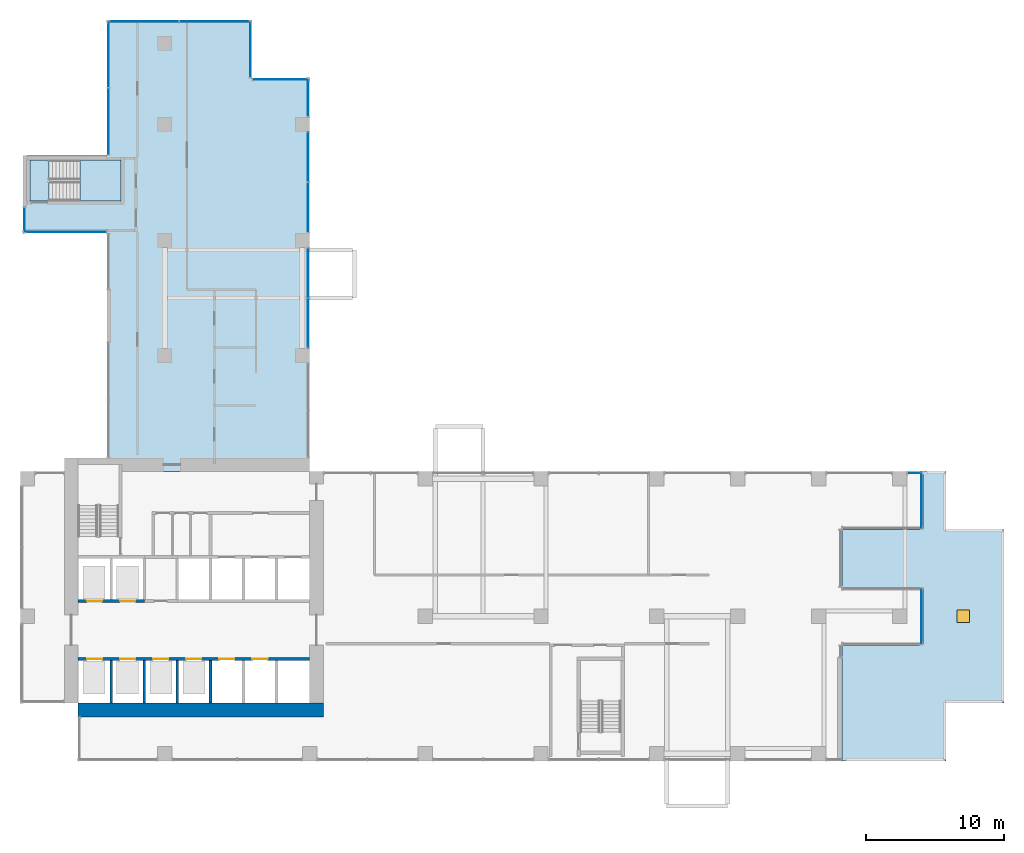
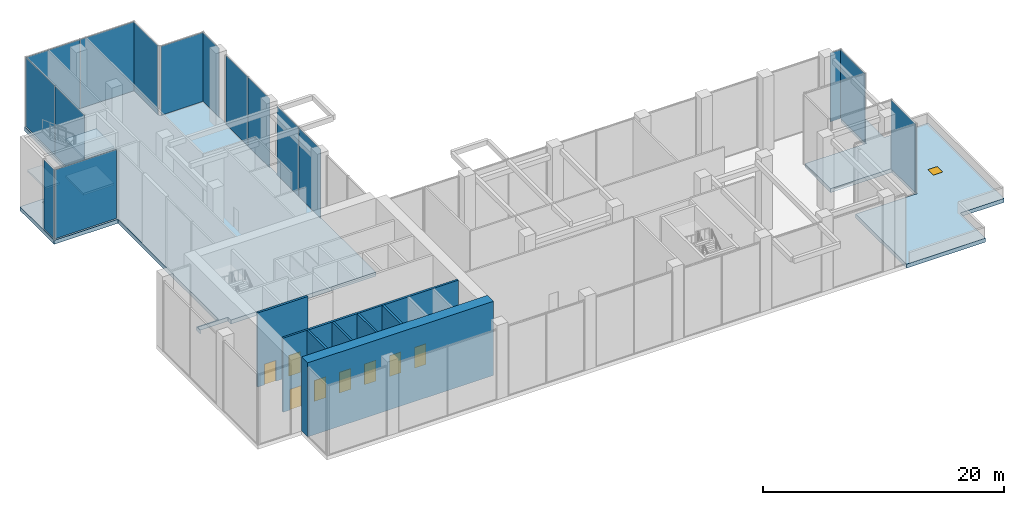
# One storey, part 10 of 18: 16 plates, 8 doors, 7 walls, 5 slabs, 1 window, 9 openings, 13 elements without a shape of their own.
"""IFC4 building model written with IfcOpenShell, lengths in metres."""

import ifcopenshell
import ifcopenshell.guid

model = None  # the IFC model being written
_history = None  # IfcOwnerHistory: only IFC2X3 demands one
_inside = {}  # id of a spatial element -> (the spatial element, [elements in it])
_under = {}  # id of a project, library or spatial element -> (it, [spatial elements below it])
_declared = {}  # id of a project -> (the project, [libraries it declares])
_typed = {}  # id of a type object -> (the type object, [elements of that type])
_made_of = {}  # id of a material, layer set ... -> (it, [elements and type objects made of it])


def new_model(schema):
    """Start an empty IFC model of exactly this schema.

    Asked for "IFC4X3", IfcOpenShell would pick the latest addendum, in which some entities
    have other attributes; the version numbers below select the first issue.
    IFC2X3 requires an IfcOwnerHistory on every rooted entity: one is made here for all.
    """
    global model, _history
    if schema == "IFC4X3":
        model = ifcopenshell.file(schema_version=(4, 3, 0, 0))
    else:
        model = ifcopenshell.file(schema=schema)
    _inside.clear()
    _under.clear()
    _declared.clear()
    _typed.clear()
    _made_of.clear()
    _history = None
    if model.schema == "IFC2X3":
        org = make("IfcOrganization", Name="unknown")
        user = make(
            "IfcPersonAndOrganization",
            ThePerson=make("IfcPerson", FamilyName="unknown"),
            TheOrganization=org,
        )
        app = make(
            "IfcApplication",
            ApplicationDeveloper=org,
            Version="unknown",
            ApplicationFullName="unknown",
            ApplicationIdentifier="unknown",
        )
        _history = make(
            "IfcOwnerHistory",
            OwningUser=user,
            OwningApplication=app,
            ChangeAction="ADDED",
            CreationDate=0,
        )
    return model


def make(cls, **values):
    """One entity of the class cls with the attributes given. An attribute that is None is left unset."""
    return model.create_entity(
        cls, **{name: value for name, value in values.items() if value is not None}
    )


def rooted(cls, **values):
    """An entity with a GlobalId (a new one), such as an element, a storey or a relation."""
    return make(cls, GlobalId=ifcopenshell.guid.new(), OwnerHistory=_history, **values)


def si_unit(unit_type, name, prefix=None):
    """IfcSIUnit, for example si_unit("LENGTHUNIT", "METRE", prefix="MILLI")."""
    return make("IfcSIUnit", UnitType=unit_type, Prefix=prefix, Name=name)


def assignment(units):
    """IfcUnitAssignment: the units of a project."""
    return None if units is None else make("IfcUnitAssignment", Units=units)


def point(xyz):
    """IfcCartesianPoint."""
    return None if xyz is None else make("IfcCartesianPoint", Coordinates=xyz)


def direction(xyz):
    """IfcDirection."""
    return None if xyz is None else make("IfcDirection", DirectionRatios=xyz)


def frame(location, z_axis=None, x_axis=None):
    """IfcAxis2Placement3D, a coordinate frame: its origin and axes. An axis left out is left unset."""
    return make(
        "IfcAxis2Placement3D",
        Location=point(location),
        Axis=direction(z_axis),
        RefDirection=direction(x_axis),
    )


def frame_2d(location, x_axis=None):
    """IfcAxis2Placement2D, a coordinate frame in the plane: its origin and x axis."""
    return make(
        "IfcAxis2Placement2D", Location=point(location), RefDirection=direction(x_axis)
    )


def origin():
    """The frame at (0, 0, 0) with its axes left unset."""
    return frame((0.0, 0.0, 0.0))


def origin_2d():
    """The frame at (0, 0) in the plane with its x axis left unset."""
    return frame_2d((0.0, 0.0))


def place(relative_to, where):
    """IfcLocalPlacement: puts the frame where relative to a parent placement (None: the world)."""
    return make(
        "IfcLocalPlacement", PlacementRelTo=relative_to, RelativePlacement=where
    )


def context(
    kind, dimensions, precision=None, world=None, true_north=None, identifier=None
):
    """IfcGeometricRepresentationContext, for example the 3D "Model" context."""
    return make(
        "IfcGeometricRepresentationContext",
        ContextIdentifier=identifier,
        ContextType=kind,
        CoordinateSpaceDimension=dimensions,
        Precision=precision,
        WorldCoordinateSystem=world,
        TrueNorth=true_north,
    )


def subcontext(parent, identifier, kind, view, scale=None):
    """IfcGeometricRepresentationSubContext, for example "Body" below "Model"."""
    return make(
        "IfcGeometricRepresentationSubContext",
        ContextIdentifier=identifier,
        ContextType=kind,
        ParentContext=parent,
        TargetScale=scale,
        TargetView=view,
    )


def project(units=None, contexts=None):
    """IfcProject with its units and contexts."""
    return rooted(
        "IfcProject",
        Name="project",
        RepresentationContexts=contexts,
        UnitsInContext=assignment(units),
    )


def spatial(cls, under=None, at=None, **own):
    """A site, building, storey or space (cls), placed at a placement, below another one or the project."""
    s = rooted(cls, ObjectPlacement=at, **own)
    if under is not None:
        _under.setdefault(under.id(), (under, []))[1].append(s)
    return s


def polyline(points):
    """IfcPolyline through the points."""
    return make("IfcPolyline", Points=[point(p) for p in points])


def profile(cls, at=None, kind="AREA", **sizes):
    """A parametric profile (cls). Its sizes go by their IFC names, for example OverallWidth=200.0."""
    return make(cls, ProfileType=kind, Position=at, **sizes)


def rectangle(**sizes):
    """IfcRectangleProfileDef."""
    return profile("IfcRectangleProfileDef", **sizes)


def outline(outer, holes=None, kind="AREA"):
    """IfcArbitraryClosedProfileDef: a profile drawn as a closed curve; with holes, ...WithVoids."""
    if holes is None:
        return make("IfcArbitraryClosedProfileDef", ProfileType=kind, OuterCurve=outer)
    return make(
        "IfcArbitraryProfileDefWithVoids",
        ProfileType=kind,
        OuterCurve=outer,
        InnerCurves=holes,
    )


def extrude(swept, where, along, depth):
    """IfcExtrudedAreaSolid: the profile swept, set in the frame where, extruded along a direction by depth."""
    return make(
        "IfcExtrudedAreaSolid",
        SweptArea=swept,
        Position=where,
        ExtrudedDirection=direction(along),
        Depth=depth,
    )


def shape(context_of_items, identifier, shape_type, items):
    """IfcShapeRepresentation: the items that make up one representation, for example the "Body"."""
    return make(
        "IfcShapeRepresentation",
        ContextOfItems=context_of_items,
        RepresentationIdentifier=identifier,
        RepresentationType=shape_type,
        Items=items,
    )


def source(mapping_origin, context_of_items, identifier, shape_type, items):
    """IfcRepresentationMap: a shape defined once, which mapped items show again and again."""
    return make(
        "IfcRepresentationMap",
        MappingOrigin=mapping_origin,
        MappedRepresentation=shape(context_of_items, identifier, shape_type, items),
    )


def transform(
    local_origin,
    x_axis=None,
    y_axis=None,
    z_axis=None,
    scale=None,
    scale2=None,
    scale3=None,
    uniform=True,
):
    """IfcCartesianTransformationOperator3D, or its non-uniform kind. x_axis, y_axis, z_axis: its Axis1, 2, 3."""
    if uniform:
        return make(
            "IfcCartesianTransformationOperator3D",
            Axis1=direction(x_axis),
            Axis2=direction(y_axis),
            LocalOrigin=point(local_origin),
            Scale=scale,
            Axis3=direction(z_axis),
        )
    return make(
        "IfcCartesianTransformationOperator3DnonUniform",
        Axis1=direction(x_axis),
        Axis2=direction(y_axis),
        LocalOrigin=point(local_origin),
        Scale=scale,
        Axis3=direction(z_axis),
        Scale2=scale2,
        Scale3=scale3,
    )


def mapped(mapping_source, mapping_target):
    """IfcMappedItem: shows the shape of a source again, moved by a transform."""
    return make(
        "IfcMappedItem", MappingSource=mapping_source, MappingTarget=mapping_target
    )


def material(Name=None, Category=None):
    """IfcMaterial."""
    return make("IfcMaterial", Name=Name, Category=Category)


def layer(
    of_material, thickness, ventilated=None, Name=None, Category=None, Priority=None
):
    """IfcMaterialLayer: one layer of a wall or slab, of a material (None: an air gap)."""
    return make(
        "IfcMaterialLayer",
        Material=of_material,
        LayerThickness=thickness,
        IsVentilated=ventilated,
        Name=Name,
        Category=Category,
        Priority=Priority,
    )


def layer_set(layers, Name=None):
    """IfcMaterialLayerSet."""
    return make("IfcMaterialLayerSet", MaterialLayers=layers, LayerSetName=Name)


def made_of(thing, what):
    """Note that an element or type object is made of a material, layer set ...; save() writes the relation."""
    if what is not None:
        _made_of.setdefault(what.id(), (what, []))[1].append(thing)
    return thing


def type_object(cls, material=None, **own):
    """A type object (cls), such as IfcWallType, which elements share."""
    return made_of(rooted(cls, **own), material)


def element(
    cls,
    number,
    at=None,
    inside=None,
    cuts=None,
    type_object=None,
    material=None,
    context=None,
    identifier="Body",
    shape_type=None,
    held_by="IfcProductDefinitionShape",
    body=None,
    shapes=None,
    **own,
):
    """One element of the class cls, such as IfcWall. Its Tag is "e" and its number.

    at: its placement. inside: the storey or other place that contains it. cuts: it is an
    opening in that element (IfcRelVoidsElement). A single representation is given by context,
    identifier, shape_type and body (its items); several are given by shapes. held_by: the class
    of the entity that holds the representations. save() writes the other relations.
    """
    e = rooted(cls, Tag="e%d" % number, ObjectPlacement=at, **own)
    if body is not None:
        shapes = [shape(context, identifier, shape_type, body)]
    if shapes is not None:
        e.Representation = make(held_by, Representations=shapes)
    if inside is not None:
        _inside.setdefault(inside.id(), (inside, []))[1].append(e)
    if cuts is not None:
        rooted(
            "IfcRelVoidsElement", RelatingBuildingElement=cuts, RelatedOpeningElement=e
        )
    if type_object is not None:
        _typed.setdefault(type_object.id(), (type_object, []))[1].append(e)
    return made_of(e, material)


def fill(opening, filler):
    """IfcRelFillsElement: the door or window that sits in an opening."""
    return rooted(
        "IfcRelFillsElement",
        RelatingOpeningElement=opening,
        RelatedBuildingElement=filler,
    )


def aggregate(whole, parts):
    """IfcRelAggregates: a whole, such as a stair, and the parts it consists of."""
    return rooted("IfcRelAggregates", RelatingObject=whole, RelatedObjects=parts)


def save(model, path):
    """Write the relations noted so far, then the file.

    IfcRelAggregates (storeys below a building ...), IfcRelContainedInSpatialStructure (elements
    in a storey), IfcRelDefinesByType, IfcRelAssociatesMaterial and IfcRelDeclares: one each for
    every whole, place, type object, material and project.
    """
    for whole, parts in _under.values():
        aggregate(whole, parts)
    for where, things in _inside.values():
        rooted(
            "IfcRelContainedInSpatialStructure",
            RelatedElements=things,
            RelatingStructure=where,
        )
    for kind, things in _typed.values():
        rooted("IfcRelDefinesByType", RelatedObjects=things, RelatingType=kind)
    for what, things in _made_of.values():
        rooted("IfcRelAssociatesMaterial", RelatedObjects=things, RelatingMaterial=what)
    for by, libraries in _declared.values():
        rooted("IfcRelDeclares", RelatingContext=by, RelatedDefinitions=libraries)
    model.write(path)


model = new_model("IFC4")

# Units and contexts
model_context = context("Model", 3, precision=1e-05, world=origin(), true_north=direction((0.0, 1.0)))
body_context = subcontext(model_context, "Body", "Model", "MODEL_VIEW")
ifc_project = project(units=[si_unit("LENGTHUNIT", "METRE"), si_unit("AREAUNIT", "SQUARE_METRE"), si_unit("VOLUMEUNIT", "CUBIC_METRE"), si_unit("PLANEANGLEUNIT", "RADIAN"), si_unit("MASSUNIT", "GRAM", prefix="KILO")], contexts=[model_context])

# Site, building, storey
site_placement = place(None, origin())
site = spatial("IfcSite", under=ifc_project, at=site_placement, CompositionType="ELEMENT")
building_placement = place(site_placement, origin())
building = spatial("IfcBuilding", under=site, at=building_placement, Name="Aurelian Terraces", CompositionType="ELEMENT")
storey_placement = place(building_placement, frame((0.0, 0.0, 170.3)))
storey = spatial("IfcBuildingStorey", under=building, at=storey_placement, Name="L37", CompositionType="ELEMENT", Elevation=170.3)

# Curtain wall, plate
ifc_material_1 = material(Name="Anodised aluminium and clear glazing", Category="aluminium")
ifc_layer_1 = layer(ifc_material_1, 0.2)
ifc_layer_set_1 = layer_set([ifc_layer_1], Name="Lobby glazing curtain wall")
curtain_wall_type = type_object("IfcCurtainWallType", Name="Lobby glazing curtain wall", PredefinedType="NOTDEFINED", material=ifc_layer_set_1)
curtain_wall_1_placement = place(storey_placement, origin())
curtain_wall_1 = element("IfcCurtainWall", 1, at=curtain_wall_1_placement, inside=storey, type_object=curtain_wall_type, Name="Lobby glazing L37 F04.1", PredefinedType="NOTDEFINED")
ifc_material_2 = material(Name="Clear glazing", Category="glass")
ifc_layer_2 = layer(ifc_material_2, 0.028)
ifc_layer_set_2 = layer_set([ifc_layer_2], Name="Lobby glazing glazing panel")
plate_type = type_object("IfcPlateType", Name="Lobby glazing glazing panel", PredefinedType="CURTAIN_PANEL", material=ifc_layer_set_2)
plate_1_placement = place(storey_placement, frame((65.42, 10.5, 0.06), z_axis=(0.0, 0.0, 1.0), x_axis=(0.0, 1.0, 0.0)))
plate_1 = element("IfcPlate", 2, at=plate_1_placement, type_object=plate_type, Name="CW2 panel 1.1", PredefinedType="CURTAIN_PANEL", context=body_context, shape_type="SweptSolid", body=[
    extrude(rectangle(XDim=4.08, YDim=0.028, at=origin_2d()), origin(), (0.0, 0.0, 1.0), 6.98),
])
aggregate(curtain_wall_1, [plate_1])

curtain_wall_2_placement = place(storey_placement, origin())
curtain_wall_2 = element("IfcCurtainWall", 3, at=curtain_wall_2_placement, inside=storey, type_object=curtain_wall_type, Name="Lobby glazing L37 F10.4", PredefinedType="NOTDEFINED")
plate_2_placement = place(storey_placement, frame((20.9, 48.1425, 0.06), z_axis=(0.0, 0.0, 1.0), x_axis=(0.0, 1.0, 0.0)))
plate_2 = element("IfcPlate", 4, at=plate_2_placement, type_object=plate_type, Name="CW2 panel 1.1", PredefinedType="CURTAIN_PANEL", context=body_context, shape_type="SweptSolid", body=[
    extrude(rectangle(XDim=2.715, YDim=0.028, at=origin_2d()), origin(), (0.0, 0.0, 1.0), 6.98),
])
aggregate(curtain_wall_2, [plate_2])

curtain_wall_3_placement = place(storey_placement, origin())
curtain_wall_3 = element("IfcCurtainWall", 5, at=curtain_wall_3_placement, inside=storey, type_object=curtain_wall_type, Name="Lobby glazing L37 F13.1", PredefinedType="NOTDEFINED")
plate_3_placement = place(storey_placement, frame((14.16, 53.66, 0.06), z_axis=(0.0, 0.0, 1.0), x_axis=(-1.0, 0.0, 0.0)))
plate_3 = element("IfcPlate", 6, at=plate_3_placement, type_object=plate_type, Name="CW2 panel 1.1", PredefinedType="CURTAIN_PANEL", context=body_context, shape_type="SweptSolid", body=[
    extrude(rectangle(XDim=5.16, YDim=0.028, at=origin_2d()), origin(), (0.0, 0.0, 1.0), 6.98),
])

curtain_wall_4_placement = place(storey_placement, origin())
curtain_wall_4 = element("IfcCurtainWall", 7, at=curtain_wall_4_placement, inside=storey, type_object=curtain_wall_type, Name="Lobby glazing L37 F14.1", PredefinedType="NOTDEFINED")
plate_4_placement = place(storey_placement, frame((6.4, 51.2925, 0.06), z_axis=(0.0, 0.0, 1.0), x_axis=(0.0, -1.0, 0.0)))
plate_4 = element("IfcPlate", 8, at=plate_4_placement, type_object=plate_type, Name="CW2 panel 1.1", PredefinedType="CURTAIN_PANEL", context=body_context, shape_type="SweptSolid", body=[
    extrude(rectangle(XDim=4.815, YDim=0.028, at=origin_2d()), origin(), (0.0, 0.0, 1.0), 6.98),
])

curtain_wall_5_placement = place(storey_placement, origin())
curtain_wall_5 = element("IfcCurtainWall", 9, at=curtain_wall_5_placement, inside=storey, type_object=curtain_wall_type, Name="Lobby glazing L37 F16.2", PredefinedType="NOTDEFINED")
plate_5_placement = place(storey_placement, frame((0.3, 39.25, 0.06), z_axis=(0.0, 0.0, 1.0), x_axis=(0.0, -1.0, 0.0)))
plate_5 = element("IfcPlate", 10, at=plate_5_placement, type_object=plate_type, Name="CW2 panel 1.1", PredefinedType="CURTAIN_PANEL", context=body_context, shape_type="SweptSolid", body=[
    extrude(rectangle(XDim=1.78, YDim=0.028, at=origin_2d()), origin(), (0.0, 0.0, 1.0), 6.98),
])
aggregate(curtain_wall_5, [plate_5])

curtain_wall_6_placement = place(storey_placement, origin())
curtain_wall_6 = element("IfcCurtainWall", 11, at=curtain_wall_6_placement, inside=storey, type_object=curtain_wall_type, Name="Lobby glazing L37 F17.1", PredefinedType="NOTDEFINED")
plate_6_placement = place(storey_placement, frame((3.25, 38.4, 0.06), z_axis=(0.0, 0.0, 1.0), x_axis=(1.0, 0.0, 0.0)))
plate_6 = element("IfcPlate", 12, at=plate_6_placement, type_object=plate_type, Name="CW2 panel 1.1", PredefinedType="CURTAIN_PANEL", context=body_context, shape_type="SweptSolid", body=[
    extrude(rectangle(XDim=5.98, YDim=0.028, at=origin_2d()), origin(), (0.0, 0.0, 1.0), 6.98),
])
aggregate(curtain_wall_6, [plate_6])

# Slab
ifc_material_3 = material(Name="Concrete fc' 40 MPa", Category="concrete")
ifc_layer_3 = layer(ifc_material_3, 0.4)
ifc_layer_set_3 = layer_set([ifc_layer_3], Name="PT FLAT PLATE 400")
slab_type_1 = type_object("IfcSlabType", Name="PT FLAT PLATE 400", PredefinedType="FLOOR", material=ifc_layer_set_3)
slab_1_placement = place(storey_placement, frame((0.0, 0.0, -0.4)))
element("IfcSlab", 13, at=slab_1_placement, inside=storey, type_object=slab_type_1, Name="Floor slab W L37", PredefinedType="FLOOR", context=body_context, shape_type="SweptSolid", body=[
    extrude(outline(polyline([(6.3, 43.95), (6.3, 49.56), (6.3, 53.76), (10.5, 53.76), (16.8, 53.76), (16.8, 49.56), (21.0, 49.56), (21.0, 21.0), (7.14, 21.0), (7.14, 21.49), (4.21, 21.49), (4.21, 21.0), (4.2, 21.0), (4.2, 21.6), (6.3, 21.6), (6.3, 38.3), (0.2, 38.3), (0.2, 43.95), (6.3, 43.95)]), holes=[polyline([(7.29, 43.59), (2.11, 43.59), (2.11, 40.66), (7.29, 40.66), (7.29, 43.59)])]), origin(), (0.0, 0.0, 1.0), 0.4),
])

# Slab, opening, window
ifc_layer_4 = layer(ifc_material_3, 0.4)
ifc_layer_set_4 = layer_set([ifc_layer_4], Name="Roof slab 400")
slab_type_2 = type_object("IfcSlabType", Name="Roof slab 400", PredefinedType="ROOF", material=ifc_layer_set_4)
slab_2_placement = place(storey_placement, frame((0.0, 0.0, -0.4)))
slab_2 = element("IfcSlab", 14, at=slab_2_placement, inside=storey, type_object=slab_type_2, Name="Roof slab L37 L37-X1", PredefinedType="ROOF", context=body_context, shape_type="SweptSolid", body=[
    extrude(outline(polyline([(71.4, 4.2), (67.2, 4.2), (67.2, 0.0), (59.64, 0.0), (59.64, 8.4), (65.52, 8.4), (65.52, 12.6), (59.64, 12.6), (59.64, 16.8), (65.52, 16.8), (65.52, 21.0), (67.2, 21.0), (67.2, 16.8), (71.4, 16.8), (71.4, 4.2)])), origin(), (0.0, 0.0, 1.0), 0.4),
])
shared_shape_1 = source(origin(), body_context, "Body", "SweptSolid", [
    extrude(rectangle(XDim=0.9, YDim=0.9, at=origin_2d()), frame((0.0, 0.0, -0.01)), (0.0, 0.0, 1.0), 0.42),
])
opening_1_placement = place(slab_2_placement, frame((68.46, 10.5, 0.0)))
opening_1 = element("IfcOpeningElement", 15, at=opening_1_placement, cuts=slab_2, Name="Opening RH1", PredefinedType="OPENING", context=body_context, shape_type="MappedRepresentation", body=[
    mapped(shared_shape_1, transform((0.0, 0.0, 0.0), scale=1.0)),
])
window_type = type_object("IfcWindowType", Name="ROOF HATCH", PartitioningType="SINGLE_PANEL", PredefinedType="SKYLIGHT", material=ifc_material_2)
shared_shape_2 = source(origin(), body_context, "Body", "SweptSolid", [
    extrude(rectangle(XDim=0.9, YDim=0.9, at=origin_2d()), origin(), (0.0, 0.0, 1.0), 0.05),
])
window_placement = place(opening_1_placement, frame((0.0, 0.0, 0.35)))
window = element("IfcWindow", 16, at=window_placement, inside=storey, type_object=window_type, Name="Roof access hatch L37", OverallHeight=0.9, OverallWidth=0.9, PartitioningType="SINGLE_PANEL", PredefinedType="SKYLIGHT", context=body_context, shape_type="MappedRepresentation", body=[
    mapped(shared_shape_2, transform((0.0, 0.0, 0.0), scale=1.0)),
])
fill(opening_1, window)

# Curtain wall, plates
curtain_wall_7_placement = place(storey_placement, origin())
curtain_wall_7 = element("IfcCurtainWall", 17, at=curtain_wall_7_placement, inside=storey, type_object=curtain_wall_type, Name="Lobby glazing L37 F10.2", PredefinedType="NOTDEFINED")
shared_shape_3 = source(origin(), body_context, "Body", "SweptSolid", [
    extrude(rectangle(XDim=3.585, YDim=0.028, at=origin_2d()), origin(), (0.0, 0.0, 1.0), 6.98),
])
plate_7_placement = place(storey_placement, frame((20.9, 31.7775, 0.06), z_axis=(0.0, 0.0, 1.0), x_axis=(0.0, 1.0, 0.0)))
plate_7 = element("IfcPlate", 18, at=plate_7_placement, type_object=plate_type, Name="CW2 panel 1.1", PredefinedType="CURTAIN_PANEL", context=body_context, shape_type="MappedRepresentation", body=[
    mapped(shared_shape_3, transform((0.0, 0.0, 0.0), scale=1.0)),
])
plate_8_placement = place(storey_placement, frame((20.9, 35.4225, 0.06), z_axis=(0.0, 0.0, 1.0), x_axis=(0.0, 1.0, 0.0)))
plate_8 = element("IfcPlate", 19, at=plate_8_placement, type_object=plate_type, Name="CW2 panel 2.1", PredefinedType="CURTAIN_PANEL", context=body_context, shape_type="MappedRepresentation", body=[
    mapped(shared_shape_3, transform((0.0, 0.0, 0.0), scale=1.0)),
])
aggregate(curtain_wall_7, [plate_7, plate_8])

curtain_wall_8_placement = place(storey_placement, origin())
curtain_wall_8 = element("IfcCurtainWall", 20, at=curtain_wall_8_placement, inside=storey, type_object=curtain_wall_type, Name="Lobby glazing L37 F10.3", PredefinedType="NOTDEFINED")
plate_9_placement = place(storey_placement, frame((20.9, 40.1775, 0.06), z_axis=(0.0, 0.0, 1.0), x_axis=(0.0, 1.0, 0.0)))
plate_9 = element("IfcPlate", 21, at=plate_9_placement, type_object=plate_type, Name="CW2 panel 1.1", PredefinedType="CURTAIN_PANEL", context=body_context, shape_type="MappedRepresentation", body=[
    mapped(shared_shape_3, transform((0.0, 0.0, 0.0), scale=1.0)),
])
plate_10_placement = place(storey_placement, frame((20.9, 43.8225, 0.06), z_axis=(0.0, 0.0, 1.0), x_axis=(0.0, 1.0, 0.0)))
plate_10 = element("IfcPlate", 22, at=plate_10_placement, type_object=plate_type, Name="CW2 panel 2.1", PredefinedType="CURTAIN_PANEL", context=body_context, shape_type="MappedRepresentation", body=[
    mapped(shared_shape_3, transform((0.0, 0.0, 0.0), scale=1.0)),
])
aggregate(curtain_wall_8, [plate_9, plate_10])

# Curtain wall, plate
curtain_wall_9_placement = place(storey_placement, origin())
curtain_wall_9 = element("IfcCurtainWall", 23, at=curtain_wall_9_placement, inside=storey, type_object=curtain_wall_type, Name="Lobby glazing L37 F08.1", PredefinedType="NOTDEFINED")
shared_shape_4 = source(origin(), body_context, "Body", "SweptSolid", [
    extrude(rectangle(XDim=4.08, YDim=0.028, at=origin_2d()), origin(), (0.0, 0.0, 1.0), 6.98),
])
plate_11_placement = place(storey_placement, frame((65.42, 18.9, 0.06), z_axis=(0.0, 0.0, 1.0), x_axis=(0.0, 1.0, 0.0)))
plate_11 = element("IfcPlate", 24, at=plate_11_placement, type_object=plate_type, Name="CW2 panel 1.1", PredefinedType="CURTAIN_PANEL", context=body_context, shape_type="MappedRepresentation", body=[
    mapped(shared_shape_4, transform((0.0, 0.0, 0.0), scale=1.0)),
])
aggregate(curtain_wall_9, [plate_11])

curtain_wall_10_placement = place(storey_placement, origin())
curtain_wall_10 = element("IfcCurtainWall", 25, at=curtain_wall_10_placement, inside=storey, type_object=curtain_wall_type, Name="Lobby glazing L37 F11.1", PredefinedType="NOTDEFINED")
plate_12_placement = place(storey_placement, frame((18.9, 49.46, 0.06), z_axis=(0.0, 0.0, 1.0), x_axis=(-1.0, 0.0, 0.0)))
plate_12 = element("IfcPlate", 26, at=plate_12_placement, type_object=plate_type, Name="CW2 panel 1.1", PredefinedType="CURTAIN_PANEL", context=body_context, shape_type="MappedRepresentation", body=[
    mapped(shared_shape_4, transform((0.0, 0.0, 0.0), scale=1.0)),
])
aggregate(curtain_wall_10, [plate_12])

curtain_wall_11_placement = place(storey_placement, origin())
curtain_wall_11 = element("IfcCurtainWall", 27, at=curtain_wall_11_placement, inside=storey, type_object=curtain_wall_type, Name="Lobby glazing L37 F12.1", PredefinedType="NOTDEFINED")
plate_13_placement = place(storey_placement, frame((16.7, 51.66, 0.06), z_axis=(0.0, 0.0, 1.0), x_axis=(0.0, 1.0, 0.0)))
plate_13 = element("IfcPlate", 28, at=plate_13_placement, type_object=plate_type, Name="CW2 panel 1.1", PredefinedType="CURTAIN_PANEL", context=body_context, shape_type="MappedRepresentation", body=[
    mapped(shared_shape_4, transform((0.0, 0.0, 0.0), scale=1.0)),
])
aggregate(curtain_wall_11, [plate_13])

curtain_wall_12_placement = place(storey_placement, origin())
curtain_wall_12 = element("IfcCurtainWall", 29, at=curtain_wall_12_placement, inside=storey, type_object=curtain_wall_type, Name="Lobby glazing L37 F09.1", PredefinedType="NOTDEFINED")
shared_shape_5 = source(origin(), body_context, "Body", "SweptSolid", [
    extrude(rectangle(XDim=1.035, YDim=0.028, at=origin_2d()), origin(), (0.0, 0.0, 1.0), 6.98),
])
plate_14_placement = place(storey_placement, frame((64.9425, 20.9, 0.06), z_axis=(0.0, 0.0, 1.0), x_axis=(-1.0, 0.0, 0.0)))
plate_14 = element("IfcPlate", 30, at=plate_14_placement, type_object=plate_type, Name="CW2 panel 1.1", PredefinedType="CURTAIN_PANEL", context=body_context, shape_type="MappedRepresentation", body=[
    mapped(shared_shape_5, transform((0.0, 0.0, 0.0), scale=1.0)),
])
aggregate(curtain_wall_12, [plate_14])

# Plate
shared_shape_6 = source(origin(), body_context, "Body", "SweptSolid", [
    extrude(rectangle(XDim=5.16, YDim=0.028, at=origin_2d()), origin(), (0.0, 0.0, 1.0), 6.98),
])
plate_15_placement = place(storey_placement, frame((8.94, 53.66, 0.06), z_axis=(0.0, 0.0, 1.0), x_axis=(-1.0, 0.0, 0.0)))
plate_15 = element("IfcPlate", 31, at=plate_15_placement, type_object=plate_type, Name="CW2 panel 2.1", PredefinedType="CURTAIN_PANEL", context=body_context, shape_type="MappedRepresentation", body=[
    mapped(shared_shape_6, transform((0.0, 0.0, 0.0), scale=1.0)),
])

aggregate(curtain_wall_3, [plate_3, plate_15])

shared_shape_7 = source(origin(), body_context, "Body", "SweptSolid", [
    extrude(rectangle(XDim=4.815, YDim=0.028, at=origin_2d()), origin(), (0.0, 0.0, 1.0), 6.98),
])
plate_16_placement = place(storey_placement, frame((6.4, 46.4175, 0.06), z_axis=(0.0, 0.0, 1.0), x_axis=(0.0, -1.0, 0.0)))
plate_16 = element("IfcPlate", 32, at=plate_16_placement, type_object=plate_type, Name="CW2 panel 2.1", PredefinedType="CURTAIN_PANEL", context=body_context, shape_type="MappedRepresentation", body=[
    mapped(shared_shape_7, transform((0.0, 0.0, 0.0), scale=1.0)),
])

aggregate(curtain_wall_4, [plate_4, plate_16])

# Stair, slabs
stair_type = type_object("IfcStairType", Name="Stair 1400", PredefinedType="HALF_TURN_STAIR", material=ifc_material_3)
stair_placement = place(storey_placement, origin())
stair = element("IfcStair", 33, at=stair_placement, inside=storey, type_object=stair_type, Name="L37 S3", PredefinedType="HALF_TURN_STAIR")
ifc_layer_5 = layer(ifc_material_3, 0.2)
ifc_layer_set_5 = layer_set([ifc_layer_5], Name="Stair landing 200")
slab_type_3 = type_object("IfcSlabType", Name="Stair landing 200", PredefinedType="LANDING", material=ifc_layer_set_5)
shared_shape_8 = source(origin(), body_context, "Body", "SweptSolid", [
    extrude(outline(polyline([(4.35, 40.65), (7.3, 40.65), (7.3, 43.6), (4.35, 43.6), (4.35, 40.65)])), origin(), (0.0, 0.0, 1.0), 0.2),
])
slab_3_placement = place(storey_placement, frame((0.0, 0.0, 1.675)))
slab_3 = element("IfcSlab", 34, at=slab_3_placement, type_object=slab_type_3, Name="S3 landing 1", PredefinedType="LANDING", context=body_context, shape_type="MappedRepresentation", body=[
    mapped(shared_shape_8, transform((0.0, 0.0, 0.0), scale=1.0)),
])
slab_4_placement = place(storey_placement, frame((0.0, 0.0, 5.425)))
slab_4 = element("IfcSlab", 35, at=slab_4_placement, type_object=slab_type_3, Name="S3 landing 3", PredefinedType="LANDING", context=body_context, shape_type="MappedRepresentation", body=[
    mapped(shared_shape_8, transform((0.0, 0.0, 0.0), scale=1.0)),
])
shared_shape_9 = source(origin(), body_context, "Body", "SweptSolid", [
    extrude(outline(polyline([(0.7, 40.65), (2.1, 40.65), (2.1, 43.6), (0.7, 43.6), (0.7, 40.65)])), origin(), (0.0, 0.0, 1.0), 0.2),
])
slab_5_placement = place(storey_placement, frame((0.0, 0.0, 3.55)))
slab_5 = element("IfcSlab", 36, at=slab_5_placement, type_object=slab_type_3, Name="S3 landing 2", PredefinedType="LANDING", context=body_context, shape_type="MappedRepresentation", body=[
    mapped(shared_shape_9, transform((0.0, 0.0, 0.0), scale=1.0)),
])
aggregate(stair, [slab_3, slab_5, slab_4])

# Wall, openings, doors
ifc_layer_6 = layer(ifc_material_3, 0.2)
ifc_layer_set_6 = layer_set([ifc_layer_6], Name="Lift shaft wall 200")
wall_type_1 = type_object("IfcWallType", Name="Lift shaft wall 200", PredefinedType="SOLIDWALL", material=ifc_layer_set_6)
wall_1_placement = place(storey_placement, frame((4.2, 11.6, 0.0), z_axis=(0.0, 0.0, 1.0), x_axis=(1.0, 0.0, 0.0)))
wall_1 = element("IfcWall", 37, at=wall_1_placement, inside=storey, type_object=wall_type_1, Name="L37 core wall CF-BF1", PredefinedType="SOLIDWALL", context=body_context, shape_type="SweptSolid", body=[
    extrude(rectangle(XDim=4.8, YDim=0.2, at=frame_2d((2.4, 0.0))), origin(), (0.0, 0.0, 1.0), 7.5),
])
shared_shape_10 = source(origin(), body_context, "Body", "SweptSolid", [
    extrude(rectangle(XDim=1.1, YDim=2.1, at=frame_2d((0.55, 1.05))), frame((0.0, 0.11, 0.0), z_axis=(0.0, -1.0, 0.0), x_axis=(1.0, 0.0, 0.0)), (0.0, 0.0, 1.0), 0.22),
])
opening_2_placement = place(wall_1_placement, frame((0.65, 0.0, 0.0)))
opening_2 = element("IfcOpeningElement", 38, at=opening_2_placement, cuts=wall_1, Name="Opening 64006", PredefinedType="OPENING", context=body_context, shape_type="MappedRepresentation", body=[
    mapped(shared_shape_10, transform((0.0, 0.0, 0.0), scale=1.0)),
])
opening_3_placement = place(wall_1_placement, frame((3.05, 0.0, 0.0)))
opening_3 = element("IfcOpeningElement", 39, at=opening_3_placement, cuts=wall_1, Name="Opening 64007", PredefinedType="OPENING", context=body_context, shape_type="MappedRepresentation", body=[
    mapped(shared_shape_10, transform((0.0, 0.0, 0.0), scale=1.0)),
])
ifc_material_4 = material(Name="Stainless steel", Category="steel")
door_type = type_object("IfcDoorType", Name="Lift landing door 1100x2100", OperationType="SLIDING_TO_LEFT", PredefinedType="DOOR", material=ifc_material_4)
shared_shape_11 = source(origin(), body_context, "Body", "SweptSolid", [
    extrude(rectangle(XDim=1.1, YDim=2.1, at=frame_2d((0.55, 1.05))), frame((0.0, 0.025, 0.0), z_axis=(0.0, -1.0, 0.0), x_axis=(1.0, 0.0, 0.0)), (0.0, 0.0, 1.0), 0.05),
])
door_1_placement = place(opening_2_placement, origin())
door_1 = element("IfcDoor", 40, at=door_1_placement, inside=storey, type_object=door_type, Name="Lift landing door LM5 L37", OperationType="SLIDING_TO_LEFT", OverallHeight=2.1, OverallWidth=1.1, PredefinedType="DOOR", context=body_context, shape_type="MappedRepresentation", body=[
    mapped(shared_shape_11, transform((0.0, 0.0, 0.0), scale=1.0)),
])
fill(opening_2, door_1)
door_2_placement = place(opening_3_placement, origin())
door_2 = element("IfcDoor", 41, at=door_2_placement, inside=storey, type_object=door_type, Name="Lift landing door LM6 L37", OperationType="SLIDING_TO_LEFT", OverallHeight=2.1, OverallWidth=1.1, PredefinedType="DOOR", context=body_context, shape_type="MappedRepresentation", body=[
    mapped(shared_shape_11, transform((0.0, 0.0, 0.0), scale=1.0)),
])
fill(opening_3, door_2)

# Walls
ifc_material_5 = material(Name="Concrete fc' 83 MPa", Category="concrete")
ifc_layer_7 = layer(ifc_material_5, 1.0)
ifc_layer_set_7 = layer_set([ifc_layer_7], Name="CORE WALL 1000 FC83")
wall_type_2 = type_object("IfcWallType", Name="CORE WALL 1000 FC83", PredefinedType="SHEAR", material=ifc_layer_set_7)
shared_shape_12 = source(origin(), body_context, "Body", "SweptSolid", [
    extrude(rectangle(XDim=17.8, YDim=1.0, at=frame_2d((8.9, 0.0))), origin(), (0.0, 0.0, 1.0), 7.5),
])
wall_2_placement = place(storey_placement, frame((4.2, 3.7, 0.0), z_axis=(0.0, 0.0, 1.0), x_axis=(1.0, 0.0, 0.0)))
element("IfcWall", 42, at=wall_2_placement, inside=storey, type_object=wall_type_2, Name="Core wall S L37", PredefinedType="SHEAR", context=body_context, shape_type="MappedRepresentation", body=[
    mapped(shared_shape_12, transform((0.0, 0.0, 0.0), scale=1.0)),
])
shared_shape_13 = source(origin(), body_context, "Body", "SweptSolid", [
    extrude(rectangle(XDim=3.1, YDim=0.2, at=frame_2d((1.55, 0.0))), origin(), (0.0, 0.0, 1.0), 7.5),
])
for number, where, z_axis, x_axis, name in (
    (43, (6.6, 4.2, 0.0), (0.0, 0.0, 1.0), (0.0, 1.0, 0.0), "L37 core wall CD-A1"),
    (44, (9.0, 4.2, 0.0), (0.0, 0.0, 1.0), (0.0, 1.0, 0.0), "L37 core wall CD-A2"),
    (45, (11.4, 4.2, 0.0), (0.0, 0.0, 1.0), (0.0, 1.0, 0.0), "L37 core wall CD-A3"),
    (46, (13.8, 4.2, 0.0), (0.0, 0.0, 1.0), (0.0, 1.0, 0.0), "L37 core wall CD-A4"),
):
    element("IfcWall", number, at=place(storey_placement, frame(where, z_axis=z_axis, x_axis=x_axis)), inside=storey, type_object=wall_type_1, Name=name, PredefinedType="SOLIDWALL", context=body_context, shape_type="MappedRepresentation", body=[
        mapped(shared_shape_13, transform((0.0, 0.0, 0.0), scale=1.0)),
    ])

# Wall, openings, doors
shared_shape_14 = source(origin(), body_context, "Body", "SweptSolid", [
    extrude(rectangle(XDim=16.8, YDim=0.2, at=frame_2d((8.4, 0.0))), origin(), (0.0, 0.0, 1.0), 7.5),
])
wall_3_placement = place(storey_placement, frame((4.2, 7.4, 0.0), z_axis=(0.0, 0.0, 1.0), x_axis=(1.0, 0.0, 0.0)))
wall_3 = element("IfcWall", 47, at=wall_3_placement, inside=storey, type_object=wall_type_1, Name="L37 core wall CF-AF1", PredefinedType="SOLIDWALL", context=body_context, shape_type="MappedRepresentation", body=[
    mapped(shared_shape_14, transform((0.0, 0.0, 0.0), scale=1.0)),
])
opening_4_placement = place(wall_3_placement, frame((0.65, 0.0, 0.0)))
opening_4 = element("IfcOpeningElement", 48, at=opening_4_placement, cuts=wall_3, Name="Opening 64000", PredefinedType="OPENING", context=body_context, shape_type="MappedRepresentation", body=[
    mapped(shared_shape_10, transform((0.0, 0.0, 0.0), scale=1.0)),
])
opening_5_placement = place(wall_3_placement, frame((3.05, 0.0, 0.0)))
opening_5 = element("IfcOpeningElement", 49, at=opening_5_placement, cuts=wall_3, Name="Opening 64001", PredefinedType="OPENING", context=body_context, shape_type="MappedRepresentation", body=[
    mapped(shared_shape_10, transform((0.0, 0.0, 0.0), scale=1.0)),
])
opening_6_placement = place(wall_3_placement, frame((5.45, 0.0, 0.0)))
opening_6 = element("IfcOpeningElement", 50, at=opening_6_placement, cuts=wall_3, Name="Opening 64002", PredefinedType="OPENING", context=body_context, shape_type="MappedRepresentation", body=[
    mapped(shared_shape_10, transform((0.0, 0.0, 0.0), scale=1.0)),
])
opening_7_placement = place(wall_3_placement, frame((7.85, 0.0, 0.0)))
opening_7 = element("IfcOpeningElement", 51, at=opening_7_placement, cuts=wall_3, Name="Opening 64003", PredefinedType="OPENING", context=body_context, shape_type="MappedRepresentation", body=[
    mapped(shared_shape_10, transform((0.0, 0.0, 0.0), scale=1.0)),
])
opening_8_placement = place(wall_3_placement, frame((10.25, 0.0, 0.0)))
opening_8 = element("IfcOpeningElement", 52, at=opening_8_placement, cuts=wall_3, Name="Opening 64004", PredefinedType="OPENING", context=body_context, shape_type="MappedRepresentation", body=[
    mapped(shared_shape_10, transform((0.0, 0.0, 0.0), scale=1.0)),
])
opening_9_placement = place(wall_3_placement, frame((12.65, 0.0, 0.0)))
opening_9 = element("IfcOpeningElement", 53, at=opening_9_placement, cuts=wall_3, Name="Opening 64005", PredefinedType="OPENING", context=body_context, shape_type="MappedRepresentation", body=[
    mapped(shared_shape_10, transform((0.0, 0.0, 0.0), scale=1.0)),
])
door_3_placement = place(opening_4_placement, origin())
door_3 = element("IfcDoor", 54, at=door_3_placement, inside=storey, type_object=door_type, Name="Lift landing door LM1 L37", OperationType="SLIDING_TO_LEFT", OverallHeight=2.1, OverallWidth=1.1, PredefinedType="DOOR", context=body_context, shape_type="MappedRepresentation", body=[
    mapped(shared_shape_11, transform((0.0, 0.0, 0.0), scale=1.0)),
])
fill(opening_4, door_3)
door_4_placement = place(opening_5_placement, origin())
door_4 = element("IfcDoor", 55, at=door_4_placement, inside=storey, type_object=door_type, Name="Lift landing door LM2 L37", OperationType="SLIDING_TO_LEFT", OverallHeight=2.1, OverallWidth=1.1, PredefinedType="DOOR", context=body_context, shape_type="MappedRepresentation", body=[
    mapped(shared_shape_11, transform((0.0, 0.0, 0.0), scale=1.0)),
])
fill(opening_5, door_4)
door_5_placement = place(opening_6_placement, origin())
door_5 = element("IfcDoor", 56, at=door_5_placement, inside=storey, type_object=door_type, Name="Lift landing door LM3 L37", OperationType="SLIDING_TO_LEFT", OverallHeight=2.1, OverallWidth=1.1, PredefinedType="DOOR", context=body_context, shape_type="MappedRepresentation", body=[
    mapped(shared_shape_11, transform((0.0, 0.0, 0.0), scale=1.0)),
])
fill(opening_6, door_5)
door_6_placement = place(opening_7_placement, origin())
door_6 = element("IfcDoor", 57, at=door_6_placement, inside=storey, type_object=door_type, Name="Lift landing door LM4 L37", OperationType="SLIDING_TO_LEFT", OverallHeight=2.1, OverallWidth=1.1, PredefinedType="DOOR", context=body_context, shape_type="MappedRepresentation", body=[
    mapped(shared_shape_11, transform((0.0, 0.0, 0.0), scale=1.0)),
])
fill(opening_7, door_6)
door_7_placement = place(opening_8_placement, origin())
door_7 = element("IfcDoor", 58, at=door_7_placement, inside=storey, type_object=door_type, Name="Lift landing door SH1 L37", OperationType="SLIDING_TO_LEFT", OverallHeight=2.1, OverallWidth=1.1, PredefinedType="DOOR", context=body_context, shape_type="MappedRepresentation", body=[
    mapped(shared_shape_11, transform((0.0, 0.0, 0.0), scale=1.0)),
])
fill(opening_8, door_7)
door_8_placement = place(opening_9_placement, origin())
door_8 = element("IfcDoor", 59, at=door_8_placement, inside=storey, type_object=door_type, Name="Lift landing door SH2 L37", OperationType="SLIDING_TO_LEFT", OverallHeight=2.1, OverallWidth=1.1, PredefinedType="DOOR", context=body_context, shape_type="MappedRepresentation", body=[
    mapped(shared_shape_11, transform((0.0, 0.0, 0.0), scale=1.0)),
])
fill(opening_9, door_8)

save(model, "model.ifc")
